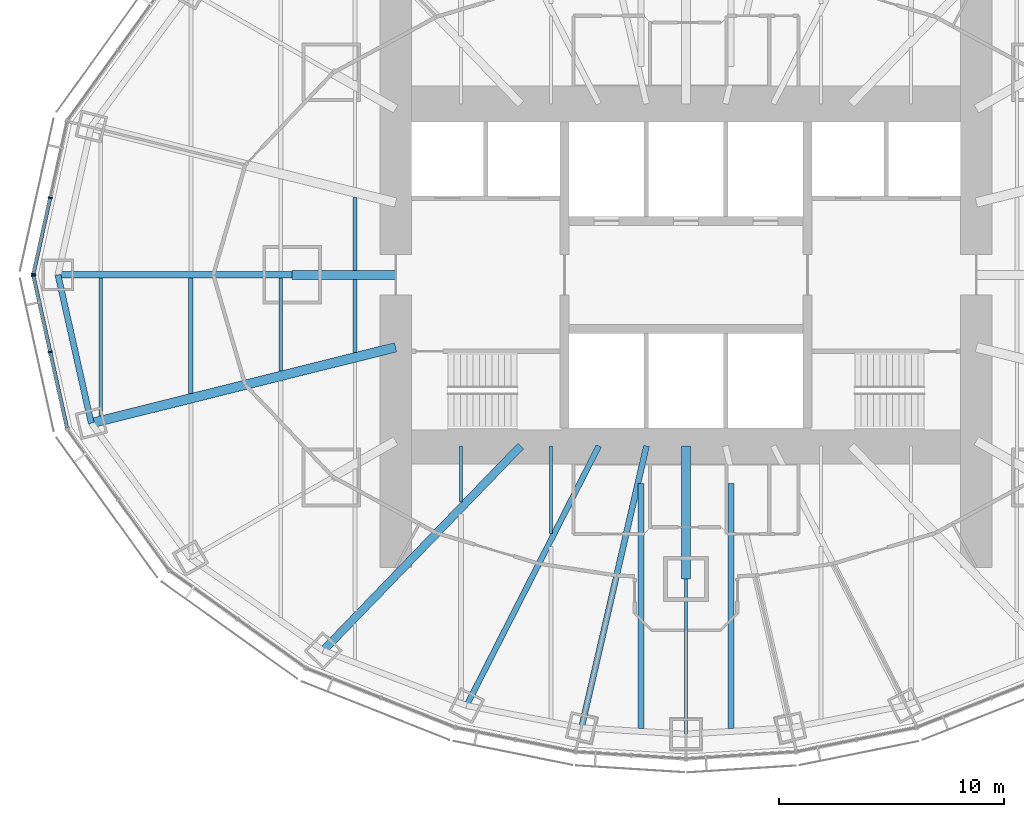
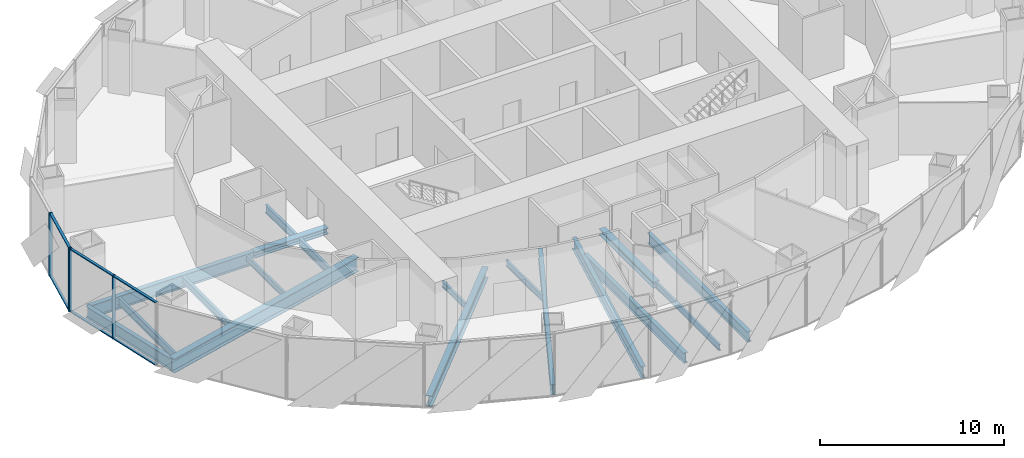
# One storey, part 3 of 18: 18 beams, 10 members, 2 elements without a shape of their own.
"""IFC4 building model written with IfcOpenShell, lengths in metres."""

from ifc_helpers import new_model, si_unit, direction, frame, origin, origin_2d, place, context, subcontext, project, spatial, rectangle, i_section, extrude, material, material_profile, profile_set, type_object, element, aggregate, save


model = new_model("IFC4")

# Units and contexts
model_context = context("Model", 3, precision=1e-05, world=origin(), true_north=direction((0.0, 1.0)))
body_context = subcontext(model_context, "Body", "Model", "MODEL_VIEW")
ifc_project = project(units=[si_unit("LENGTHUNIT", "METRE"), si_unit("AREAUNIT", "SQUARE_METRE"), si_unit("VOLUMEUNIT", "CUBIC_METRE"), si_unit("PLANEANGLEUNIT", "RADIAN"), si_unit("MASSUNIT", "GRAM", prefix="KILO")], contexts=[model_context])

# Site, building, storey
site_placement = place(None, origin())
site = spatial("IfcSite", under=ifc_project, at=site_placement, CompositionType="ELEMENT")
building_placement = place(site_placement, origin())
building = spatial("IfcBuilding", under=site, at=building_placement, Name="Lantaw Convention Tower", CompositionType="ELEMENT")
storey_placement = place(building_placement, frame((0.0, 0.0, 142.60009765625)))
storey = spatial("IfcBuildingStorey", under=building, at=storey_placement, Name="L33", CompositionType="ELEMENT", Elevation=142.60009765625)

# Beams
ifc_material_1 = material(Name="Steel ASTM A992", Category="steel")
ifc_material_profile_1 = material_profile(ifc_material_1, i_section(OverallWidth=0.2666015625, OverallDepth=0.76953125, WebThickness=0.015625, FlangeThickness=0.025390625, FilletRadius=0.0126953125, at=origin_2d()), Name="W30X132")
ifc_profile_set_1 = profile_set([ifc_material_profile_1], Name="Steel ASTM A992")
beam_type_1 = type_object("IfcBeamType", Name="Beam E W30X132", PredefinedType="SPANDREL", material=ifc_profile_set_1)
beam_1_placement = place(storey_placement, frame((-27.89990234375, 0.0, -0.534912109375), z_axis=(0.219211877447, -0.975677279015, 0.0), x_axis=(0.975677279015, 0.219211877447, 0.0)))
element("IfcBeam", 1, at=beam_1_placement, inside=storey, type_object=beam_type_1, Name="Edge beam 13", PredefinedType="SPANDREL", context=body_context, shape_type="SweptSolid", body=[
    extrude(i_section(OverallWidth=0.2666015625, OverallDepth=0.76953125, WebThickness=0.015625, FlangeThickness=0.025390625, FilletRadius=0.0126953125, at=origin_2d()), origin(), (0.0, 0.0, 1.0), 6.75146484375),
])
ifc_material_profile_2 = material_profile(ifc_material_1, i_section(OverallWidth=0.140380859375, OverallDepth=0.40380859375, WebThickness=0.007080078125, FlangeThickness=0.01123046875, FilletRadius=0.01025390625, at=origin_2d()), Name="W16X31")
ifc_profile_set_2 = profile_set([ifc_material_profile_2], Name="Steel ASTM A992")
beam_type_2 = type_object("IfcBeamType", Name="Beam G W16X31", PredefinedType="BEAM", material=ifc_profile_set_2)
beam_2_placement = place(storey_placement, frame((0.0, -13.5, -0.35205078125), z_axis=(0.0, -1.0, 0.0), x_axis=(1.0, 0.0, 0.0)))
element("IfcBeam", 2, at=beam_2_placement, inside=storey, type_object=beam_type_2, Name="Floor girder on ray 19", PredefinedType="BEAM", context=body_context, shape_type="SweptSolid", body=[
    extrude(i_section(OverallWidth=0.140380859375, OverallDepth=0.40380859375, WebThickness=0.007080078125, FlangeThickness=0.01123046875, FilletRadius=0.01025390625, at=origin_2d()), origin(), (0.0, 0.0, 1.0), 6.89990234375),
])
ifc_material_profile_3 = material_profile(ifc_material_1, i_section(OverallWidth=0.25390625, OverallDepth=0.700927734375, WebThickness=0.015380859375, FlangeThickness=0.02783203125, FilletRadius=0.01513671875, at=origin_2d()), Name="W27X129")
ifc_profile_set_3 = profile_set([ifc_material_profile_3], Name="Steel ASTM A992")
beam_type_3 = type_object("IfcBeamType", Name="Beam G W27X129", PredefinedType="BEAM", material=ifc_profile_set_3)
beam_3_placement = place(storey_placement, frame((-3.872314453125, -7.60009765625, -0.500732421875), z_axis=(-0.453991051051, -0.891006243281, 0.0), x_axis=(0.891006243281, -0.453991051051, 0.0)))
element("IfcBeam", 3, at=beam_3_placement, inside=storey, type_object=beam_type_3, Name="Floor girder on ray 17", PredefinedType="BEAM", context=body_context, shape_type="SweptSolid", body=[
    extrude(i_section(OverallWidth=0.25390625, OverallDepth=0.700927734375, WebThickness=0.015380859375, FlangeThickness=0.02783203125, FilletRadius=0.01513671875, at=origin_2d()), origin(), (0.0, 0.0, 1.0), 12.943359375),
])
ifc_material_profile_4 = material_profile(ifc_material_1, i_section(OverallWidth=0.360595703125, OverallDepth=0.72900390625, WebThickness=0.023193359375, FlangeThickness=0.041015625, FilletRadius=0.0126953125, at=origin_2d()), Name="W27X235")
ifc_profile_set_4 = profile_set([ifc_material_profile_4], Name="Steel ASTM A992")
beam_type_4 = type_object("IfcBeamType", Name="Beam G W27X235", PredefinedType="BEAM", material=ifc_profile_set_4)
beam_4_placement = place(storey_placement, frame((-7.33935546875, -7.60009765625, -0.5146484375), z_axis=(-0.694663467407, -0.719334878239, 0.0), x_axis=(0.719334878239, -0.694663467407, 0.0)))
element("IfcBeam", 4, at=beam_4_placement, inside=storey, type_object=beam_type_4, Name="Floor girder on ray 16", PredefinedType="BEAM", context=body_context, shape_type="SweptSolid", body=[
    extrude(i_section(OverallWidth=0.360595703125, OverallDepth=0.72900390625, WebThickness=0.023193359375, FlangeThickness=0.041015625, FilletRadius=0.0126953125, at=origin_2d()), origin(), (0.0, 0.0, 1.0), 12.63671875),
])
ifc_material_profile_5 = material_profile(ifc_material_1, i_section(OverallWidth=0.2666015625, OverallDepth=0.7568359375, WebThickness=0.013916015625, FlangeThickness=0.019287109375, FilletRadius=0.0126953125, at=origin_2d()), Name="W30X108")
ifc_profile_set_5 = profile_set([ifc_material_profile_5], Name="Steel ASTM A992")
beam_type_5 = type_object("IfcBeamType", Name="Beam G W30X108", PredefinedType="BEAM", material=ifc_profile_set_5)
beam_5_placement = place(storey_placement, frame((-1.754638671875, -7.60009765625, -0.528564453125), z_axis=(-0.224944153104, -0.974371658036, 0.0), x_axis=(0.974371658036, -0.224944153104, 0.0)))
element("IfcBeam", 5, at=beam_5_placement, inside=storey, type_object=beam_type_5, Name="Floor girder on ray 18", PredefinedType="BEAM", context=body_context, shape_type="SweptSolid", body=[
    extrude(i_section(OverallWidth=0.2666015625, OverallDepth=0.7568359375, WebThickness=0.013916015625, FlangeThickness=0.019287109375, FilletRadius=0.0126953125, at=origin_2d()), origin(), (0.0, 0.0, 1.0), 12.849365234375),
])
ifc_material_profile_6 = material_profile(ifc_material_1, i_section(OverallWidth=0.2919921875, OverallDepth=0.845703125, WebThickness=0.015380859375, FlangeThickness=0.0244140625, FilletRadius=0.01513671875, at=origin_2d()), Name="W33X141")
ifc_profile_set_6 = profile_set([ifc_material_profile_6], Name="Steel ASTM A992")
beam_type_6 = type_object("IfcBeamType", Name="Beam G W33X141", PredefinedType="BEAM", material=ifc_profile_set_6)
beam_6_placement = place(storey_placement, frame((-17.5, 0.0, -0.572998046875), z_axis=(-1.0, 0.0, 0.0), x_axis=(0.0, -1.0, 0.0)))
element("IfcBeam", 6, at=beam_6_placement, inside=storey, type_object=beam_type_6, Name="Floor girder on ray 13", PredefinedType="BEAM", context=body_context, shape_type="SweptSolid", body=[
    extrude(i_section(OverallWidth=0.2919921875, OverallDepth=0.845703125, WebThickness=0.015380859375, FlangeThickness=0.0244140625, FilletRadius=0.01513671875, at=origin_2d()), origin(), (0.0, 0.0, 1.0), 10.39990234375),
])
ifc_material_profile_7 = material_profile(ifc_material_1, i_section(OverallWidth=0.421630859375, OverallDepth=0.937255859375, WebThickness=0.0224609375, FlangeThickness=0.039794921875, FilletRadius=0.02001953125, at=origin_2d()), Name="W36X282")
ifc_profile_set_7 = profile_set([ifc_material_profile_7], Name="Steel ASTM A992")
beam_type_7 = type_object("IfcBeamType", Name="Beam G W36X282", PredefinedType="BEAM", material=ifc_profile_set_7)
beam_7_placement = place(storey_placement, frame((-12.89990234375, -3.21630859375, -0.61865234375), z_axis=(-0.970296903132, -0.24191717544, 0.0), x_axis=(0.24191717544, -0.970296903132, 0.0)))
element("IfcBeam", 7, at=beam_7_placement, inside=storey, type_object=beam_type_7, Name="Floor girder on ray 14", PredefinedType="BEAM", context=body_context, shape_type="SweptSolid", body=[
    extrude(i_section(OverallWidth=0.421630859375, OverallDepth=0.937255859375, WebThickness=0.0224609375, FlangeThickness=0.039794921875, FilletRadius=0.02001953125, at=origin_2d()), origin(), (0.0, 0.0, 1.0), 13.933837890625),
])
ifc_material_profile_8 = material_profile(ifc_material_1, i_section(OverallWidth=0.40380859375, OverallDepth=0.406494140625, WebThickness=0.027099609375, FlangeThickness=0.043701171875, FilletRadius=0.01513671875, at=origin_2d()), Name="W14X233")
ifc_profile_set_8 = profile_set([ifc_material_profile_8], Name="Steel ASTM A992")
beam_type_8 = type_object("IfcBeamType", Name="Beam GM W14X233", PredefinedType="BEAM", material=ifc_profile_set_8)
beam_8_placement = place(storey_placement, frame((-12.89990234375, 0.0, -0.353271484375), z_axis=(-1.0, 0.0, 0.0), x_axis=(0.0, -1.0, 0.0)))
element("IfcBeam", 8, at=beam_8_placement, inside=storey, type_object=beam_type_8, Name="Core link beam on ray 13", PredefinedType="BEAM", context=body_context, shape_type="SweptSolid", body=[
    extrude(i_section(OverallWidth=0.40380859375, OverallDepth=0.406494140625, WebThickness=0.027099609375, FlangeThickness=0.043701171875, FilletRadius=0.01513671875, at=origin_2d()), origin(), (0.0, 0.0, 1.0), 4.60009765625),
])
beam_9_placement = place(storey_placement, frame((0.0, -7.60009765625, -0.353271484375), z_axis=(0.0, -1.0, 0.0), x_axis=(1.0, 0.0, 0.0)))
element("IfcBeam", 9, at=beam_9_placement, inside=storey, type_object=beam_type_8, Name="Core link beam on ray 19", PredefinedType="BEAM", context=body_context, shape_type="SweptSolid", body=[
    extrude(i_section(OverallWidth=0.40380859375, OverallDepth=0.406494140625, WebThickness=0.027099609375, FlangeThickness=0.043701171875, FilletRadius=0.01513671875, at=origin_2d()), origin(), (0.0, 0.0, 1.0), 5.89990234375),
])
ifc_material_profile_9 = material_profile(ifc_material_1, i_section(OverallWidth=0.140380859375, OverallDepth=0.40380859375, WebThickness=0.007080078125, FlangeThickness=0.01123046875, FilletRadius=0.01025390625, at=origin_2d()), Name="W16X31")
ifc_profile_set_9 = profile_set([ifc_material_profile_9], Name="Steel ASTM A992")
beam_type_9 = type_object("IfcBeamType", Name="Beam J W16X31", PredefinedType="JOIST", material=ifc_profile_set_9)
beam_10_placement = place(storey_placement, frame((-18.0, -4.270751953125, -0.35205078125), z_axis=(0.0, 1.0, 0.0), x_axis=(-1.0, 0.0, 0.0)))
element("IfcBeam", 10, at=beam_10_placement, inside=storey, type_object=beam_type_9, Name="Floor joist", PredefinedType="JOIST", context=body_context, shape_type="SweptSolid", body=[
    extrude(i_section(OverallWidth=0.140380859375, OverallDepth=0.40380859375, WebThickness=0.007080078125, FlangeThickness=0.01123046875, FilletRadius=0.01025390625, at=origin_2d()), origin(), (0.0, 0.0, 1.0), 4.124755859375),
])
beam_11_placement = place(storey_placement, frame((-10.0, -10.095703125, -0.35205078125), z_axis=(0.0, 1.0, 0.0), x_axis=(-1.0, 0.0, 0.0)))
element("IfcBeam", 11, at=beam_11_placement, inside=storey, type_object=beam_type_9, Name="Floor joist", PredefinedType="JOIST", context=body_context, shape_type="SweptSolid", body=[
    extrude(i_section(OverallWidth=0.140380859375, OverallDepth=0.40380859375, WebThickness=0.007080078125, FlangeThickness=0.01123046875, FilletRadius=0.01025390625, at=origin_2d()), origin(), (0.0, 0.0, 1.0), 2.49560546875),
])
beam_12_placement = place(storey_placement, frame((-6.0, -11.495849609375, -0.35205078125), z_axis=(0.0, 1.0, 0.0), x_axis=(-1.0, 0.0, 0.0)))
element("IfcBeam", 12, at=beam_12_placement, inside=storey, type_object=beam_type_9, Name="Floor joist", PredefinedType="JOIST", context=body_context, shape_type="SweptSolid", body=[
    extrude(i_section(OverallWidth=0.140380859375, OverallDepth=0.40380859375, WebThickness=0.007080078125, FlangeThickness=0.01123046875, FilletRadius=0.01025390625, at=origin_2d()), origin(), (0.0, 0.0, 1.0), 3.895751953125),
])
ifc_material_profile_10 = material_profile(ifc_material_1, i_section(OverallWidth=0.1904296875, OverallDepth=0.457275390625, WebThickness=0.009033203125, FlangeThickness=0.014404296875, FilletRadius=0.01025390625, at=origin_2d()), Name="W18X50")
ifc_profile_set_10 = profile_set([ifc_material_profile_10], Name="Steel ASTM A992")
beam_type_10 = type_object("IfcBeamType", Name="Beam J W18X50", PredefinedType="JOIST", material=ifc_profile_set_10)
beam_13_placement = place(storey_placement, frame((-22.0, -5.267822265625, -0.378662109375), z_axis=(0.0, 1.0, 0.0), x_axis=(-1.0, 0.0, 0.0)))
element("IfcBeam", 13, at=beam_13_placement, inside=storey, type_object=beam_type_10, Name="Floor joist", PredefinedType="JOIST", context=body_context, shape_type="SweptSolid", body=[
    extrude(i_section(OverallWidth=0.1904296875, OverallDepth=0.457275390625, WebThickness=0.009033203125, FlangeThickness=0.014404296875, FilletRadius=0.01025390625, at=origin_2d()), origin(), (0.0, 0.0, 1.0), 5.121826171875),
])
ifc_material_profile_11 = material_profile(ifc_material_1, i_section(OverallWidth=0.1650390625, OverallDepth=0.52587890625, WebThickness=0.0087890625, FlangeThickness=0.011474609375, FilletRadius=0.0126953125, at=origin_2d()), Name="W21X44")
ifc_profile_set_11 = profile_set([ifc_material_profile_11], Name="Steel ASTM A992")
beam_type_11 = type_object("IfcBeamType", Name="Beam J W21X44", PredefinedType="JOIST", material=ifc_profile_set_11)
beam_14_placement = place(storey_placement, frame((-26.0, -6.26513671875, -0.4130859375), z_axis=(0.0, 1.0, 0.0), x_axis=(-1.0, 0.0, 0.0)))
element("IfcBeam", 14, at=beam_14_placement, inside=storey, type_object=beam_type_11, Name="Floor joist", PredefinedType="JOIST", context=body_context, shape_type="SweptSolid", body=[
    extrude(i_section(OverallWidth=0.1650390625, OverallDepth=0.52587890625, WebThickness=0.0087890625, FlangeThickness=0.011474609375, FilletRadius=0.0126953125, at=origin_2d()), origin(), (0.0, 0.0, 1.0), 6.119140625),
])
ifc_material_profile_12 = material_profile(ifc_material_1, i_section(OverallWidth=0.165771484375, OverallDepth=0.5283203125, WebThickness=0.009765625, FlangeThickness=0.013671875, FilletRadius=0.012939453125, at=origin_2d()), Name="W21X50")
ifc_profile_set_12 = profile_set([ifc_material_profile_12], Name="Steel ASTM A992")
beam_type_12 = type_object("IfcBeamType", Name="Beam J W21X50", PredefinedType="JOIST", material=ifc_profile_set_12)
for number, where, z_axis, x_axis, name in (
    (15, (-14.699951171875, -3.44775390625, -0.414306640625), (0.0, 1.0, 0.0), (-1.0, 0.0, 0.0), "Floor joist"),
    (16, (-14.699951171875, 0.201904296875, -0.414306640625), (0.0, 1.0, 0.0), (-1.0, 0.0, 0.0), "Floor joist"),
):
    element("IfcBeam", number, at=place(storey_placement, frame(where, z_axis=z_axis, x_axis=x_axis)), inside=storey, type_object=beam_type_12, Name=name, PredefinedType="JOIST", context=body_context, shape_type="SweptSolid", body=[
        extrude(i_section(OverallWidth=0.165771484375, OverallDepth=0.5283203125, WebThickness=0.009765625, FlangeThickness=0.013671875, FilletRadius=0.012939453125, at=origin_2d()), origin(), (0.0, 0.0, 1.0), 3.245849609375),
    ])
ifc_material_profile_13 = material_profile(ifc_material_1, i_section(OverallWidth=0.25390625, OverallDepth=0.683349609375, WebThickness=0.012451171875, FlangeThickness=0.01904296875, FilletRadius=0.01513671875, at=origin_2d()), Name="W27X94")
ifc_profile_set_13 = profile_set([ifc_material_profile_13], Name="Steel ASTM A992")
beam_type_13 = type_object("IfcBeamType", Name="Beam J W27X94", PredefinedType="JOIST", material=ifc_profile_set_13)
for number, where, z_axis, x_axis, name in (
    (17, (-2.0, -20.145751953125, -0.49169921875), (0.0, 1.0, 0.0), (-1.0, 0.0, 0.0), "Floor joist"),
    (18, (2.0, -20.145751953125, -0.49169921875), (0.0, 1.0, 0.0), (-1.0, 0.0, 0.0), "Floor joist"),
):
    element("IfcBeam", number, at=place(storey_placement, frame(where, z_axis=z_axis, x_axis=x_axis)), inside=storey, type_object=beam_type_13, Name=name, PredefinedType="JOIST", context=body_context, shape_type="SweptSolid", body=[
        extrude(i_section(OverallWidth=0.25390625, OverallDepth=0.683349609375, WebThickness=0.012451171875, FlangeThickness=0.01904296875, FilletRadius=0.01513671875, at=origin_2d()), origin(), (0.0, 0.0, 1.0), 10.889892578125),
    ])

# Curtain wall, members
ifc_material_2 = material(Name="Aluminium framed curtain wall", Category="aluminium")
curtain_wall_type = type_object("IfcCurtainWallType", Name="Office curtain wall low rise, pale aluminium", PredefinedType="USERDEFINED", material=ifc_material_2)
curtain_wall_1_placement = place(storey_placement, origin())
curtain_wall_1 = element("IfcCurtainWall", 19, at=curtain_wall_1_placement, inside=storey, type_object=curtain_wall_type, Name="Office curtain wall low rise, pale aluminium L33", ObjectType="UNITISED CURTAIN WALL", PredefinedType="USERDEFINED")
ifc_material_3 = material(Name="Aluminium 6063-T6", Category="aluminium")
ifc_material_profile_14 = material_profile(ifc_material_3, rectangle(XDim=0.199951171875, YDim=0.06494140625, at=origin_2d()), Name="CW-O1 mullion 65x200")
ifc_profile_set_14 = profile_set([ifc_material_profile_14], Name="Aluminium 6063-T6")
member_type_1 = type_object("IfcMemberType", Name="CW-O1 mullion 65x200", PredefinedType="MULLION", material=ifc_profile_set_14)
member_1_placement = place(storey_placement, frame((-28.24365234375, 3.4267578125, -0.150146484375), z_axis=(0.0, 0.0, 1.0), x_axis=(0.9764936509, -0.215546166174, 0.0)))
member_1 = element("IfcMember", 20, at=member_1_placement, type_object=member_type_1, Name="CW-O1 mullion 2", PredefinedType="MULLION", context=body_context, shape_type="SweptSolid", body=[
    extrude(rectangle(XDim=0.199951171875, YDim=0.06494140625, at=origin_2d()), origin(), (0.0, 0.0, 1.0), 4.199951171875),
])
member_2_placement = place(storey_placement, frame((-28.992919921875, 0.03173828125, -0.150146484375), z_axis=(0.0, 0.0, 1.0), x_axis=(0.9764936509, -0.215546166174, 0.0)))
member_2 = element("IfcMember", 21, at=member_2_placement, type_object=member_type_1, Name="CW-O1 mullion 3", PredefinedType="MULLION", context=body_context, shape_type="SweptSolid", body=[
    extrude(rectangle(XDim=0.199951171875, YDim=0.06494140625, at=origin_2d()), origin(), (0.0, 0.0, 1.0), 4.199951171875),
])

curtain_wall_2_placement = place(storey_placement, origin())
curtain_wall_2 = element("IfcCurtainWall", 22, at=curtain_wall_2_placement, inside=storey, type_object=curtain_wall_type, Name="Office curtain wall low rise, pale aluminium L33", ObjectType="UNITISED CURTAIN WALL", PredefinedType="USERDEFINED")
member_3_placement = place(storey_placement, frame((-28.992919921875, -0.03173828125, -0.150146484375), z_axis=(0.0, 0.0, 1.0), x_axis=(0.9764936509, 0.215546166174, 0.0)))
member_3 = element("IfcMember", 23, at=member_3_placement, type_object=member_type_1, Name="CW-O1 mullion 1", PredefinedType="MULLION", context=body_context, shape_type="SweptSolid", body=[
    extrude(rectangle(XDim=0.199951171875, YDim=0.06494140625, at=origin_2d()), origin(), (0.0, 0.0, 1.0), 4.199951171875),
])
member_4_placement = place(storey_placement, frame((-28.24365234375, -3.4267578125, -0.150146484375), z_axis=(0.0, 0.0, 1.0), x_axis=(0.9764936509, 0.215546166174, 0.0)))
member_4 = element("IfcMember", 24, at=member_4_placement, type_object=member_type_1, Name="CW-O1 mullion 2", PredefinedType="MULLION", context=body_context, shape_type="SweptSolid", body=[
    extrude(rectangle(XDim=0.199951171875, YDim=0.06494140625, at=origin_2d()), origin(), (0.0, 0.0, 1.0), 4.199951171875),
])

# Member
ifc_material_profile_15 = material_profile(ifc_material_3, rectangle(XDim=0.159912109375, YDim=0.06494140625, at=origin_2d()), Name="CW-O1 transom 65x160")
ifc_profile_set_15 = profile_set([ifc_material_profile_15], Name="Aluminium 6063-T6")
member_type_2 = type_object("IfcMemberType", Name="CW-O1 transom 65x160", PredefinedType="USERDEFINED", material=ifc_profile_set_15)
member_5_placement = place(storey_placement, frame((-28.250732421875, 3.39501953125, -0.11767578125), z_axis=(-0.215536096386, -0.976495873598, 0.0), x_axis=(0.976495873598, -0.215536096386, 0.0)))
member_5 = element("IfcMember", 25, at=member_5_placement, type_object=member_type_2, Name="CW-O1 transom 2.1", ObjectType="TRANSOM", PredefinedType="USERDEFINED", context=body_context, shape_type="SweptSolid", body=[
    extrude(rectangle(XDim=0.159912109375, YDim=0.06494140625, at=origin_2d()), origin(), (0.0, 0.0, 1.0), 3.41162109375),
])

member_6_placement = place(storey_placement, frame((-28.250732421875, 3.39501953125, 4.017333984375), z_axis=(-0.215536096386, -0.976495873598, 0.0), x_axis=(0.976495873598, -0.215536096386, 0.0)))
member_6 = element("IfcMember", 26, at=member_6_placement, type_object=member_type_2, Name="CW-O1 transom 2.2", ObjectType="TRANSOM", PredefinedType="USERDEFINED", context=body_context, shape_type="SweptSolid", body=[
    extrude(rectangle(XDim=0.159912109375, YDim=0.06494140625, at=origin_2d()), origin(), (0.0, 0.0, 1.0), 3.41162109375),
])

aggregate(curtain_wall_1, [member_1, member_2, member_5, member_6])

member_7_placement = place(storey_placement, frame((-28.986083984375, -0.0634765625, -0.11767578125), z_axis=(0.215536096386, -0.976495873598, 0.0), x_axis=(0.976495873598, 0.215536096386, 0.0)))
member_7 = element("IfcMember", 27, at=member_7_placement, type_object=member_type_2, Name="CW-O1 transom 1.1", ObjectType="TRANSOM", PredefinedType="USERDEFINED", context=body_context, shape_type="SweptSolid", body=[
    extrude(rectangle(XDim=0.159912109375, YDim=0.06494140625, at=origin_2d()), origin(), (0.0, 0.0, 1.0), 3.41162109375),
])

member_8_placement = place(storey_placement, frame((-28.986083984375, -0.0634765625, 4.017333984375), z_axis=(0.215536096386, -0.976495873598, 0.0), x_axis=(0.976495873598, 0.215536096386, 0.0)))
member_8 = element("IfcMember", 28, at=member_8_placement, type_object=member_type_2, Name="CW-O1 transom 1.2", ObjectType="TRANSOM", PredefinedType="USERDEFINED", context=body_context, shape_type="SweptSolid", body=[
    extrude(rectangle(XDim=0.159912109375, YDim=0.06494140625, at=origin_2d()), origin(), (0.0, 0.0, 1.0), 3.41162109375),
])

member_9_placement = place(storey_placement, frame((-28.236572265625, -3.45849609375, -0.11767578125), z_axis=(0.21555115847, -0.976492548913, 0.0), x_axis=(0.976492548913, 0.21555115847, 0.0)))
member_9 = element("IfcMember", 29, at=member_9_placement, type_object=member_type_2, Name="CW-O1 transom 2.1", ObjectType="TRANSOM", PredefinedType="USERDEFINED", context=body_context, shape_type="SweptSolid", body=[
    extrude(rectangle(XDim=0.159912109375, YDim=0.06494140625, at=origin_2d()), origin(), (0.0, 0.0, 1.0), 3.411376953125),
])

member_10_placement = place(storey_placement, frame((-28.236572265625, -3.45849609375, 4.017333984375), z_axis=(0.21555115847, -0.976492548913, 0.0), x_axis=(0.976492548913, 0.21555115847, 0.0)))
member_10 = element("IfcMember", 30, at=member_10_placement, type_object=member_type_2, Name="CW-O1 transom 2.2", ObjectType="TRANSOM", PredefinedType="USERDEFINED", context=body_context, shape_type="SweptSolid", body=[
    extrude(rectangle(XDim=0.159912109375, YDim=0.06494140625, at=origin_2d()), origin(), (0.0, 0.0, 1.0), 3.411376953125),
])

aggregate(curtain_wall_2, [member_3, member_4, member_7, member_8, member_9, member_10])

save(model, "model.ifc")
